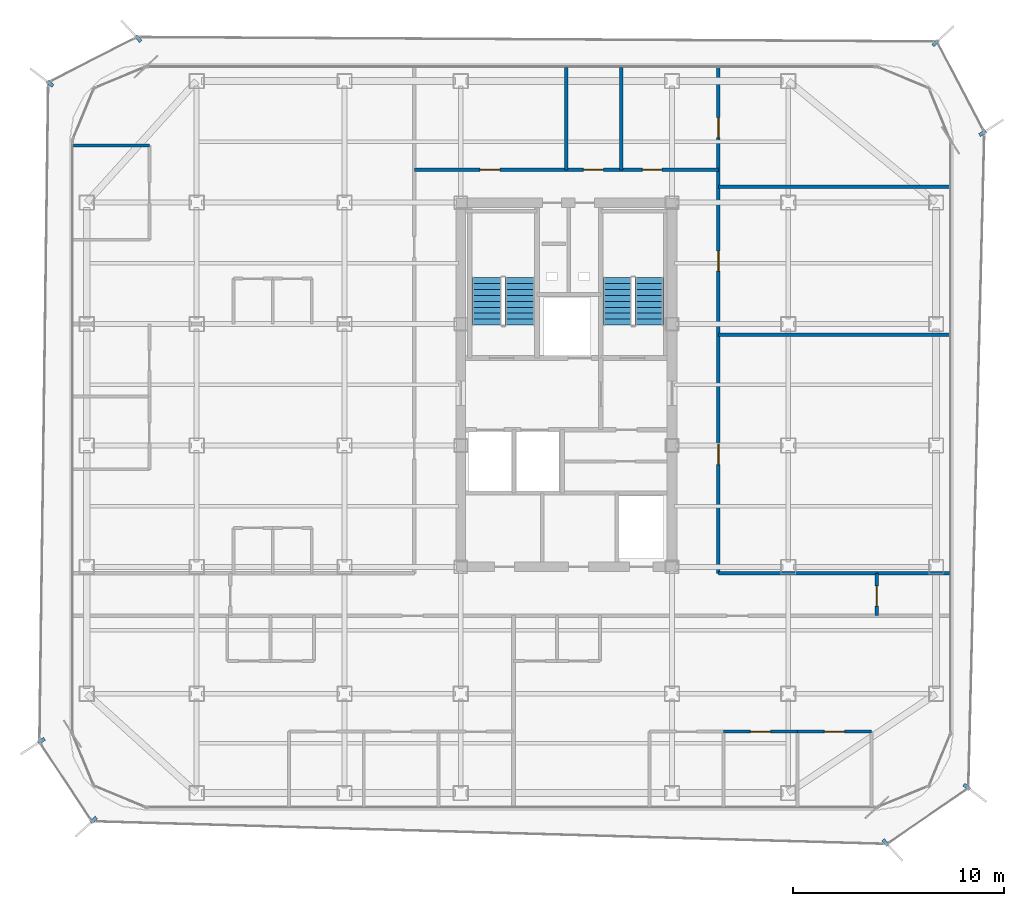
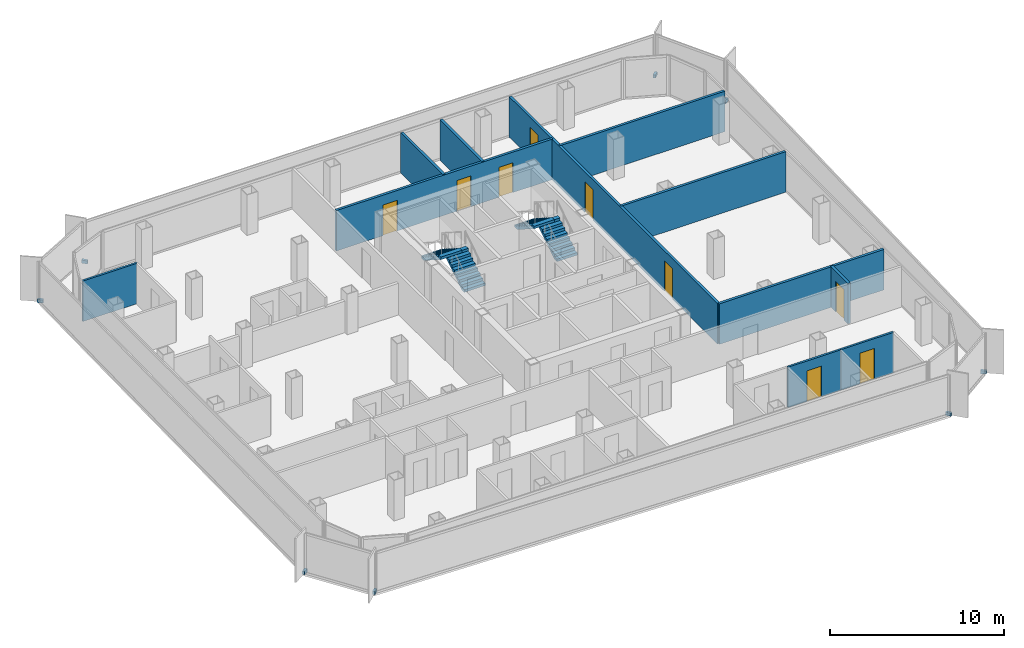
# One storey, part 12 of 15: 12 walls, 9 doors, 8 discrete accessories, 4 stair flights, 9 openings, 2 elements without a shape of their own.
"""IFC4 building model written with IfcOpenShell, lengths in metres."""

from ifc_helpers import new_model, si_unit, direction, frame, frame_2d, origin, origin_2d, place, context, subcontext, project, spatial, polyline, rectangle, outline, extrude, source, transform, mapped, material, layer, layer_set, type_object, element, fill, aggregate, save


model = new_model("IFC4")

# Units and contexts
model_context = context("Model", 3, precision=1e-05, world=origin(), true_north=direction((0.0, 1.0)))
body_context = subcontext(model_context, "Body", "Model", "MODEL_VIEW")
ifc_project = project(units=[si_unit("LENGTHUNIT", "METRE"), si_unit("AREAUNIT", "SQUARE_METRE"), si_unit("VOLUMEUNIT", "CUBIC_METRE"), si_unit("PLANEANGLEUNIT", "RADIAN"), si_unit("MASSUNIT", "GRAM", prefix="KILO")], contexts=[model_context])

# Site, building, storey
site_placement = place(None, origin())
site = spatial("IfcSite", under=ifc_project, at=site_placement, CompositionType="ELEMENT")
building_placement = place(site_placement, origin())
building = spatial("IfcBuilding", under=site, at=building_placement, Name="Kolveth Station Tower", CompositionType="ELEMENT")
storey_placement = place(building_placement, frame((0.0, 0.0, 184.89990234375)))
storey = spatial("IfcBuildingStorey", under=building, at=storey_placement, Name="L52", CompositionType="ELEMENT", Elevation=184.89990234375)

# Wall, opening, door
ifc_material_1 = material(Name="Moisture-resistant gypsum partition")
ifc_layer_1 = layer(ifc_material_1, 0.135009765625)
ifc_layer_set_1 = layer_set([ifc_layer_1], Name="Moisture-resistant gypsum partition")
wall_type_1 = type_object("IfcWallType", Name="Wall_IW-135", PredefinedType="PARTITIONING", material=ifc_layer_set_1)
wall_1_placement = place(storey_placement, frame((30.944091796875, 3.7099609375, 0.0), z_axis=(0.0, 0.0, 1.0), x_axis=(1.0, 0.0, 0.0)))
wall_1 = element("IfcWall", 1, at=wall_1_placement, inside=storey, type_object=wall_type_1, Name="L52 Partition Wall WL-L52-A2-BDH2", PredefinedType="PARTITIONING", context=body_context, shape_type="SweptSolid", body=[
    extrude(rectangle(XDim=3.5029296875, YDim=0.135009765625, at=frame_2d((1.75146484375, 0.0))), origin(), (0.0, 0.0, 1.0), 2.840087890625),
])
opening_1_placement = place(wall_1_placement, frame((1.27099609375, 0.0, 0.0)))
opening_1 = element("IfcOpeningElement", 2, at=opening_1_placement, cuts=wall_1, Name="Opening ID1", PredefinedType="OPENING", context=body_context, shape_type="SweptSolid", body=[
    extrude(rectangle(XDim=0.949951171875, YDim=2.14990234375, at=frame_2d((0.47509765625, 1.074951171875))), frame((0.0, 0.077392578125, 0.0), z_axis=(0.0, -1.0, 0.0), x_axis=(1.0, 0.0, 0.0)), (0.0, 0.0, 1.0), 0.155029296875),
])
ifc_material_2 = material(Name="Acoustic hardwood leaf and aluminium frame", Category="wood")
door_type_1 = type_object("IfcDoorType", Name="Door_ID1", OperationType="NOTDEFINED", PredefinedType="DOOR", material=ifc_material_2)
door_1_placement = place(opening_1_placement, frame((0.949951171875, 0.0, 0.0), z_axis=(0.0, 0.0, 1.0), x_axis=(-1.0, 0.0, 0.0)))
door_1 = element("IfcDoor", 3, at=door_1_placement, inside=storey, type_object=door_type_1, Name="Penthouse Flat L52-A2 Bedroom 2 Door", OperationType="SINGLE_SWING_LEFT", OverallHeight=2.14990234375, OverallWidth=0.949951171875, PredefinedType="DOOR", context=body_context, shape_type="SweptSolid", body=[
    extrude(rectangle(XDim=0.949951171875, YDim=2.14990234375, at=frame_2d((0.47509765625, 1.074951171875))), frame((0.0, 0.02490234375, 0.0), z_axis=(0.0, -1.0, 0.0), x_axis=(1.0, 0.0, 0.0)), (0.0, 0.0, 1.0), 0.050048828125),
])
fill(opening_1, door_1)

wall_2_placement = place(storey_placement, frame((34.447021484375, 3.7099609375, 0.0), z_axis=(0.0, 0.0, 1.0), x_axis=(1.0, 0.0, 0.0)))
wall_2 = element("IfcWall", 4, at=wall_2_placement, inside=storey, type_object=wall_type_1, Name="L52 Partition Wall WL-L52-A2-BDH3", PredefinedType="PARTITIONING", context=body_context, shape_type="SweptSolid", body=[
    extrude(rectangle(XDim=3.5029296875, YDim=0.135009765625, at=frame_2d((1.75146484375, 0.0))), origin(), (0.0, 0.0, 1.0), 2.840087890625),
])
opening_2_placement = place(wall_2_placement, frame((1.27099609375, 0.0, 0.0)))
opening_2 = element("IfcOpeningElement", 5, at=opening_2_placement, cuts=wall_2, Name="Opening ID1", PredefinedType="OPENING", context=body_context, shape_type="SweptSolid", body=[
    extrude(rectangle(XDim=0.949951171875, YDim=2.14990234375, at=frame_2d((0.47509765625, 1.074951171875))), frame((0.0, 0.077392578125, 0.0), z_axis=(0.0, -1.0, 0.0), x_axis=(1.0, 0.0, 0.0)), (0.0, 0.0, 1.0), 0.155029296875),
])
door_2_placement = place(opening_2_placement, frame((0.949951171875, 0.0, 0.0), z_axis=(0.0, 0.0, 1.0), x_axis=(-1.0, 0.0, 0.0)))
door_2 = element("IfcDoor", 6, at=door_2_placement, inside=storey, type_object=door_type_1, Name="Penthouse Flat L52-A2 Bedroom 3 Door", OperationType="SINGLE_SWING_RIGHT", OverallHeight=2.14990234375, OverallWidth=0.949951171875, PredefinedType="DOOR", context=body_context, shape_type="SweptSolid", body=[
    extrude(rectangle(XDim=0.949951171875, YDim=2.14990234375, at=frame_2d((0.47509765625, 1.074951171875))), frame((0.0, 0.02490234375, 0.0), z_axis=(0.0, -1.0, 0.0), x_axis=(1.0, 0.0, 0.0)), (0.0, 0.0, 1.0), 0.050048828125),
])
fill(opening_2, door_2)

# Walls
wall_3_placement = place(storey_placement, frame((0.159912109375, 31.449951171875, 0.0), z_axis=(0.0, 0.0, 1.0), x_axis=(1.0, 0.0, 0.0)))
element("IfcWall", 7, at=wall_3_placement, inside=storey, type_object=wall_type_1, Name="L52 Partition Wall WL-L52-W2-BDHE", PredefinedType="PARTITIONING", context=body_context, shape_type="SweptSolid", body=[
    extrude(rectangle(XDim=3.60009765625, YDim=0.135009765625, at=frame_2d((1.800048828125, 0.0))), origin(), (0.0, 0.0, 1.0), 2.840087890625),
])
ifc_material_3 = material(Name="Acoustic double-stud gypsum partition")
ifc_layer_2 = layer(ifc_material_3, 0.1650390625)
ifc_layer_set_2 = layer_set([ifc_layer_2], Name="Acoustic double-stud gypsum partition")
wall_type_2 = type_object("IfcWallType", Name="Wall_IW-165", PredefinedType="PARTITIONING", material=ifc_layer_set_2)
wall_4_placement = place(storey_placement, frame((30.699951171875, 11.199951171875, 0.0), z_axis=(0.0, 0.0, 1.0), x_axis=(1.0, 0.0, 0.0)))
element("IfcWall", 8, at=wall_4_placement, inside=storey, type_object=wall_type_2, Name="L52 Partition Wall WL-L52-RSET", PredefinedType="PARTITIONING", context=body_context, shape_type="SweptSolid", body=[
    extrude(rectangle(XDim=7.5, YDim=0.1650390625, at=frame_2d((3.75, 0.0))), origin(), (0.0, 0.0, 1.0), 2.840087890625),
])

# Wall, opening, door
wall_5_placement = place(storey_placement, frame((38.199951171875, 9.199951171875, 0.0), z_axis=(0.0, 0.0, 1.0), x_axis=(0.0, 1.0, 0.0)))
wall_5 = element("IfcWall", 9, at=wall_5_placement, inside=storey, type_object=wall_type_2, Name="L52 Partition Wall WL-L52-RSEE", PredefinedType="PARTITIONING", context=body_context, shape_type="SweptSolid", body=[
    extrude(rectangle(XDim=2.0, YDim=0.1650390625, at=frame_2d((1.0, 0.0))), origin(), (0.0, 0.0, 1.0), 2.840087890625),
])
opening_3_placement = place(wall_5_placement, frame((0.449951171875, 0.0, 0.0)))
opening_3 = element("IfcOpeningElement", 10, at=opening_3_placement, cuts=wall_5, Name="Opening ID1", PredefinedType="OPENING", context=body_context, shape_type="SweptSolid", body=[
    extrude(rectangle(XDim=0.949951171875, YDim=2.14990234375, at=frame_2d((0.47509765625, 1.074951171875))), frame((0.0, 0.092529296875, 0.0), z_axis=(0.0, -1.0, 0.0), x_axis=(1.0, 0.0, 0.0)), (0.0, 0.0, 1.0), 0.18505859375),
])
door_3_placement = place(opening_3_placement, origin())
door_3 = element("IfcDoor", 11, at=door_3_placement, inside=storey, type_object=door_type_1, Name="L52 Hobby Study Door", OperationType="SINGLE_SWING_LEFT", OverallHeight=2.14990234375, OverallWidth=0.949951171875, PredefinedType="DOOR", context=body_context, shape_type="SweptSolid", body=[
    extrude(rectangle(XDim=0.949951171875, YDim=2.14990234375, at=frame_2d((0.47509765625, 1.074951171875))), frame((0.0, 0.02490234375, 0.0), z_axis=(0.0, -1.0, 0.0), x_axis=(1.0, 0.0, 0.0)), (0.0, 0.0, 1.0), 0.050048828125),
])
fill(opening_3, door_3)

# Wall, openings, doors
wall_6_placement = place(storey_placement, frame((16.300048828125, 30.300048828125, 0.0), z_axis=(0.0, 0.0, 1.0), x_axis=(1.0, 0.0, 0.0)))
wall_6 = element("IfcWall", 12, at=wall_6_placement, inside=storey, type_object=wall_type_2, Name="L52 Partition Wall WL-L52-RN", PredefinedType="PARTITIONING", context=body_context, shape_type="SweptSolid", body=[
    extrude(rectangle(XDim=14.39990234375, YDim=0.1650390625, at=frame_2d((7.199951171875, 0.0))), origin(), (0.0, 0.0, 1.0), 2.840087890625),
])
opening_4_placement = place(wall_6_placement, frame((3.10009765625, 0.0, 0.0)))
opening_4 = element("IfcOpeningElement", 13, at=opening_4_placement, cuts=wall_6, Name="Opening ID1", PredefinedType="OPENING", context=body_context, shape_type="SweptSolid", body=[
    extrude(rectangle(XDim=0.949951171875, YDim=2.14990234375, at=frame_2d((0.47509765625, 1.074951171875))), frame((0.0, 0.092529296875, 0.0), z_axis=(0.0, -1.0, 0.0), x_axis=(1.0, 0.0, 0.0)), (0.0, 0.0, 1.0), 0.18505859375),
])
opening_5_placement = place(wall_6_placement, frame((8.0, 0.0, 0.0)))
opening_5 = element("IfcOpeningElement", 14, at=opening_5_placement, cuts=wall_6, Name="Opening ID1", PredefinedType="OPENING", context=body_context, shape_type="SweptSolid", body=[
    extrude(rectangle(XDim=0.949951171875, YDim=2.14990234375, at=frame_2d((0.47509765625, 1.074951171875))), frame((0.0, 0.092529296875, 0.0), z_axis=(0.0, -1.0, 0.0), x_axis=(1.0, 0.0, 0.0)), (0.0, 0.0, 1.0), 0.18505859375),
])
opening_6_placement = place(wall_6_placement, frame((10.800048828125, 0.0, 0.0)))
opening_6 = element("IfcOpeningElement", 15, at=opening_6_placement, cuts=wall_6, Name="Opening ID2", PredefinedType="OPENING", context=body_context, shape_type="SweptSolid", body=[
    extrude(rectangle(XDim=0.919921875, YDim=2.10009765625, at=frame_2d((0.4599609375, 1.050048828125))), frame((0.0, 0.092529296875, 0.0), z_axis=(0.0, -1.0, 0.0), x_axis=(1.0, 0.0, 0.0)), (0.0, 0.0, 1.0), 0.18505859375),
])
door_4_placement = place(opening_4_placement, origin())
door_4 = element("IfcDoor", 16, at=door_4_placement, inside=storey, type_object=door_type_1, Name="L52 Residents' Sky Lounge Door", OperationType="SINGLE_SWING_RIGHT", OverallHeight=2.14990234375, OverallWidth=0.949951171875, PredefinedType="DOOR", context=body_context, shape_type="SweptSolid", body=[
    extrude(rectangle(XDim=0.949951171875, YDim=2.14990234375, at=frame_2d((0.47509765625, 1.074951171875))), frame((0.0, 0.02490234375, 0.0), z_axis=(0.0, -1.0, 0.0), x_axis=(1.0, 0.0, 0.0)), (0.0, 0.0, 1.0), 0.050048828125),
])
fill(opening_4, door_4)
door_5_placement = place(opening_5_placement, origin())
door_5 = element("IfcDoor", 17, at=door_5_placement, inside=storey, type_object=door_type_1, Name="L52 Residents' Committee Room Door", OperationType="SINGLE_SWING_LEFT", OverallHeight=2.14990234375, OverallWidth=0.949951171875, PredefinedType="DOOR", context=body_context, shape_type="SweptSolid", body=[
    extrude(rectangle(XDim=0.949951171875, YDim=2.14990234375, at=frame_2d((0.47509765625, 1.074951171875))), frame((0.0, 0.02490234375, 0.0), z_axis=(0.0, -1.0, 0.0), x_axis=(1.0, 0.0, 0.0)), (0.0, 0.0, 1.0), 0.050048828125),
])
fill(opening_5, door_5)
ifc_material_4 = material(Name="Moisture-resistant hardwood leaf", Category="wood")
door_type_2 = type_object("IfcDoorType", Name="Door_ID2", OperationType="NOTDEFINED", PredefinedType="DOOR", material=ifc_material_4)
door_6_placement = place(opening_6_placement, origin())
door_6 = element("IfcDoor", 18, at=door_6_placement, inside=storey, type_object=door_type_2, Name="L52 Accessible Residents' WC Door", OperationType="SINGLE_SWING_LEFT", OverallHeight=2.10009765625, OverallWidth=0.919921875, PredefinedType="DOOR", context=body_context, shape_type="SweptSolid", body=[
    extrude(rectangle(XDim=0.919921875, YDim=2.10009765625, at=frame_2d((0.4599609375, 1.050048828125))), frame((0.0, 0.02490234375, 0.0), z_axis=(0.0, -1.0, 0.0), x_axis=(1.0, 0.0, 0.0)), (0.0, 0.0, 1.0), 0.050048828125),
])
fill(opening_6, door_6)

wall_7_placement = place(storey_placement, frame((30.699951171875, 11.199951171875, 0.0), z_axis=(0.0, 0.0, 1.0), x_axis=(0.0, 1.0, 0.0)))
wall_7 = element("IfcWall", 19, at=wall_7_placement, inside=storey, type_object=wall_type_2, Name="L52 Partition Wall WL-L52-RE", PredefinedType="PARTITIONING", context=body_context, shape_type="SweptSolid", body=[
    extrude(rectangle(XDim=23.93994140625, YDim=0.1650390625, at=frame_2d((11.969970703125, 0.0))), origin(), (0.0, 0.0, 1.0), 2.840087890625),
])
opening_7_placement = place(wall_7_placement, frame((5.14990234375, 0.0, 0.0)))
opening_7 = element("IfcOpeningElement", 20, at=opening_7_placement, cuts=wall_7, Name="Opening ID1", PredefinedType="OPENING", context=body_context, shape_type="SweptSolid", body=[
    extrude(rectangle(XDim=0.949951171875, YDim=2.14990234375, at=frame_2d((0.47509765625, 1.074951171875))), frame((0.0, 0.092529296875, 0.0), z_axis=(0.0, -1.0, 0.0), x_axis=(1.0, 0.0, 0.0)), (0.0, 0.0, 1.0), 0.18505859375),
])
opening_8_placement = place(wall_7_placement, frame((14.300048828125, 0.0, 0.0)))
opening_8 = element("IfcOpeningElement", 21, at=opening_8_placement, cuts=wall_7, Name="Opening ID1", PredefinedType="OPENING", context=body_context, shape_type="SweptSolid", body=[
    extrude(rectangle(XDim=0.949951171875, YDim=2.14990234375, at=frame_2d((0.47509765625, 1.074951171875))), frame((0.0, 0.092529296875, 0.0), z_axis=(0.0, -1.0, 0.0), x_axis=(1.0, 0.0, 0.0)), (0.0, 0.0, 1.0), 0.18505859375),
])
opening_9_placement = place(wall_7_placement, frame((20.6201171875, 0.0, 0.0)))
opening_9 = element("IfcOpeningElement", 22, at=opening_9_placement, cuts=wall_7, Name="Opening ID1", PredefinedType="OPENING", context=body_context, shape_type="SweptSolid", body=[
    extrude(rectangle(XDim=0.949951171875, YDim=2.14990234375, at=frame_2d((0.47509765625, 1.074951171875))), frame((0.0, 0.092529296875, 0.0), z_axis=(0.0, -1.0, 0.0), x_axis=(1.0, 0.0, 0.0)), (0.0, 0.0, 1.0), 0.18505859375),
])
door_7_placement = place(opening_7_placement, origin())
door_7 = element("IfcDoor", 23, at=door_7_placement, inside=storey, type_object=door_type_1, Name="L52 Sky Dining Salon East Door", OperationType="SINGLE_SWING_LEFT", OverallHeight=2.14990234375, OverallWidth=0.949951171875, PredefinedType="DOOR", context=body_context, shape_type="SweptSolid", body=[
    extrude(rectangle(XDim=0.949951171875, YDim=2.14990234375, at=frame_2d((0.47509765625, 1.074951171875))), frame((0.0, 0.02490234375, 0.0), z_axis=(0.0, -1.0, 0.0), x_axis=(1.0, 0.0, 0.0)), (0.0, 0.0, 1.0), 0.050048828125),
])
fill(opening_7, door_7)
door_8_placement = place(opening_8_placement, origin())
door_8 = element("IfcDoor", 24, at=door_8_placement, inside=storey, type_object=door_type_1, Name="L52 Private Music Room Door", OperationType="SINGLE_SWING_RIGHT", OverallHeight=2.14990234375, OverallWidth=0.949951171875, PredefinedType="DOOR", context=body_context, shape_type="SweptSolid", body=[
    extrude(rectangle(XDim=0.949951171875, YDim=2.14990234375, at=frame_2d((0.47509765625, 1.074951171875))), frame((0.0, 0.02490234375, 0.0), z_axis=(0.0, -1.0, 0.0), x_axis=(1.0, 0.0, 0.0)), (0.0, 0.0, 1.0), 0.050048828125),
])
fill(opening_8, door_8)
door_9_placement = place(opening_9_placement, origin())
door_9 = element("IfcDoor", 25, at=door_9_placement, inside=storey, type_object=door_type_1, Name="L52 Catering Pantry Door", OperationType="SINGLE_SWING_LEFT", OverallHeight=2.14990234375, OverallWidth=0.949951171875, PredefinedType="DOOR", context=body_context, shape_type="SweptSolid", body=[
    extrude(rectangle(XDim=0.949951171875, YDim=2.14990234375, at=frame_2d((0.47509765625, 1.074951171875))), frame((0.0, 0.02490234375, 0.0), z_axis=(0.0, -1.0, 0.0), x_axis=(1.0, 0.0, 0.0)), (0.0, 0.0, 1.0), 0.050048828125),
])
fill(opening_9, door_9)

# Walls
wall_8_placement = place(storey_placement, frame((38.199951171875, 11.199951171875, 0.0), z_axis=(0.0, 0.0, 1.0), x_axis=(1.0, 0.0, 0.0)))
element("IfcWall", 26, at=wall_8_placement, inside=storey, type_object=wall_type_2, Name="L52 Partition Wall WL-L52-ESTN", PredefinedType="PARTITIONING", context=body_context, shape_type="SweptSolid", body=[
    extrude(rectangle(XDim=3.43994140625, YDim=0.1650390625, at=frame_2d((1.719970703125, 0.0))), origin(), (0.0, 0.0, 1.0), 2.840087890625),
])
for number, where, z_axis, x_axis, name in (
    (27, (30.699951171875, 22.5, 0.0), (0.0, 0.0, 1.0), (1.0, 0.0, 0.0), "L52 Partition Wall WL-L52-REA-P1"),
    (28, (30.699951171875, 29.5, 0.0), (0.0, 0.0, 1.0), (1.0, 0.0, 0.0), "L52 Partition Wall WL-L52-REA-P2"),
):
    element("IfcWall", number, at=place(storey_placement, frame(where, z_axis=z_axis, x_axis=x_axis)), inside=storey, type_object=wall_type_2, Name=name, PredefinedType="PARTITIONING", context=body_context, shape_type="SweptSolid", body=[
        extrude(rectangle(XDim=10.93994140625, YDim=0.1650390625, at=frame_2d((5.469970703125, 0.0))), origin(), (0.0, 0.0, 1.0), 2.840087890625),
    ])
for number, where, z_axis, x_axis, name in (
    (29, (23.5, 30.300048828125, 0.0), (0.0, 0.0, 1.0), (0.0, 1.0, 0.0), "L52 Partition Wall WL-L52-RN-P1"),
    (30, (26.10009765625, 30.300048828125, 0.0), (0.0, 0.0, 1.0), (0.0, 1.0, 0.0), "L52 Partition Wall WL-L52-RN-P2"),
):
    element("IfcWall", number, at=place(storey_placement, frame(where, z_axis=z_axis, x_axis=x_axis)), inside=storey, type_object=wall_type_2, Name=name, PredefinedType="PARTITIONING", context=body_context, shape_type="SweptSolid", body=[
        extrude(rectangle(XDim=4.83984375, YDim=0.1650390625, at=frame_2d((2.419921875, 0.0))), origin(), (0.0, 0.0, 1.0), 2.840087890625),
    ])

# Stair, stair flights
ifc_material_5 = material(Name="Concrete C40/50", Category="concrete")
stair_type_1 = type_object("IfcStairType", Name="Stair_ST1", PredefinedType="HALF_TURN_STAIR", material=ifc_material_5)
stair_1_placement = place(storey_placement, origin())
stair_1 = element("IfcStair", 31, at=stair_1_placement, inside=storey, type_object=stair_type_1, Name="L52 Tower Exit Stair ST1", PredefinedType="HALF_TURN_STAIR")
ifc_layer_3 = layer(ifc_material_5, 0.179931640625)
ifc_layer_set_3 = layer_set([ifc_layer_3], Name="Concrete C40/50")
stair_flight_type_1 = type_object("IfcStairFlightType", Name="Flight_ST1", PredefinedType="STRAIGHT", material=ifc_layer_set_3)
stair_flight_1_placement = place(storey_placement, frame((21.300048828125, 22.949951171875, 0.0), z_axis=(0.0, 0.0, 1.0), x_axis=(0.0, 1.0, 0.0)))
stair_flight_1 = element("IfcStairFlight", 32, at=stair_flight_1_placement, type_object=stair_flight_type_1, Name="ST1 flight 1", NumberOfRisers=9, NumberOfTreads=8, PredefinedType="STRAIGHT", RiserHeight=0.177777778, TreadLength=0.28, context=body_context, shape_type="SweptSolid", body=[
    extrude(outline(polyline([(0.0, 0.0), (0.0, 0.177734375), (0.280029296875, 0.177734375), (0.280029296875, 0.35546875), (0.56005859375, 0.35546875), (0.56005859375, 0.533447265625), (0.840087890625, 0.533447265625), (0.840087890625, 0.711181640625), (1.1201171875, 0.711181640625), (1.1201171875, 0.888916015625), (1.39990234375, 0.888916015625), (1.39990234375, 1.066650390625), (1.679931640625, 1.066650390625), (1.679931640625, 1.244384765625), (1.9599609375, 1.244384765625), (1.9599609375, 1.422119140625), (2.239990234375, 1.422119140625), (2.239990234375, 1.60009765625), (2.239990234375, 1.24462890625), (0.27978515625, 0.0), (0.0, 0.0)])), frame((0.0, 0.699951171875, 0.0), z_axis=(0.0, -1.0, 0.0), x_axis=(1.0, 0.0, 0.0)), (0.0, 0.0, 1.0), 1.39990234375),
])
stair_flight_2_placement = place(storey_placement, frame((19.739990234375, 25.18994140625, 1.60009765625), z_axis=(0.0, 0.0, 1.0), x_axis=(0.0, -1.0, 0.0)))
stair_flight_2 = element("IfcStairFlight", 33, at=stair_flight_2_placement, type_object=stair_flight_type_1, Name="ST1 flight 2", NumberOfRisers=9, NumberOfTreads=8, PredefinedType="STRAIGHT", RiserHeight=0.177777778, TreadLength=0.28, context=body_context, shape_type="SweptSolid", body=[
    extrude(outline(polyline([(0.0, 0.0), (0.0, 0.177734375), (0.280029296875, 0.177734375), (0.280029296875, 0.35546875), (0.56005859375, 0.35546875), (0.56005859375, 0.533447265625), (0.840087890625, 0.533447265625), (0.840087890625, 0.711181640625), (1.1201171875, 0.711181640625), (1.1201171875, 0.888916015625), (1.39990234375, 0.888916015625), (1.39990234375, 1.066650390625), (1.679931640625, 1.066650390625), (1.679931640625, 1.244384765625), (1.9599609375, 1.244384765625), (1.9599609375, 1.422119140625), (2.239990234375, 1.422119140625), (2.239990234375, 1.60009765625), (2.239990234375, 1.24462890625), (0.27978515625, 0.0), (0.0, 0.0)])), frame((0.0, 0.699951171875, 0.0), z_axis=(0.0, -1.0, 0.0), x_axis=(1.0, 0.0, 0.0)), (0.0, 0.0, 1.0), 1.39990234375),
])
aggregate(stair_1, [stair_flight_1, stair_flight_2])

stair_type_2 = type_object("IfcStairType", Name="Stair_ST2", PredefinedType="HALF_TURN_STAIR", material=ifc_material_5)
stair_2_placement = place(storey_placement, origin())
stair_2 = element("IfcStair", 34, at=stair_2_placement, inside=storey, type_object=stair_type_2, Name="L52 Tower Exit Stair ST2", PredefinedType="HALF_TURN_STAIR")
ifc_layer_4 = layer(ifc_material_5, 0.179931640625)
ifc_layer_set_4 = layer_set([ifc_layer_4], Name="Concrete C40/50")
stair_flight_type_2 = type_object("IfcStairFlightType", Name="Flight_ST2", PredefinedType="STRAIGHT", material=ifc_layer_set_4)
stair_flight_3_placement = place(storey_placement, frame((27.425048828125, 22.949951171875, 0.0), z_axis=(0.0, 0.0, 1.0), x_axis=(0.0, 1.0, 0.0)))
stair_flight_3 = element("IfcStairFlight", 35, at=stair_flight_3_placement, type_object=stair_flight_type_2, Name="ST2 flight 1", NumberOfRisers=9, NumberOfTreads=8, PredefinedType="STRAIGHT", RiserHeight=0.177777778, TreadLength=0.28, context=body_context, shape_type="SweptSolid", body=[
    extrude(outline(polyline([(0.0, 0.0), (0.0, 0.177734375), (0.280029296875, 0.177734375), (0.280029296875, 0.35546875), (0.56005859375, 0.35546875), (0.56005859375, 0.533447265625), (0.840087890625, 0.533447265625), (0.840087890625, 0.711181640625), (1.1201171875, 0.711181640625), (1.1201171875, 0.888916015625), (1.39990234375, 0.888916015625), (1.39990234375, 1.066650390625), (1.679931640625, 1.066650390625), (1.679931640625, 1.244384765625), (1.9599609375, 1.244384765625), (1.9599609375, 1.422119140625), (2.239990234375, 1.422119140625), (2.239990234375, 1.60009765625), (2.239990234375, 1.24462890625), (0.27978515625, 0.0), (0.0, 0.0)])), frame((0.0, 0.675048828125, 0.0), z_axis=(0.0, -1.0, 0.0), x_axis=(1.0, 0.0, 0.0)), (0.0, 0.0, 1.0), 1.35009765625),
])
stair_flight_4_placement = place(storey_placement, frame((25.9150390625, 25.18994140625, 1.60009765625), z_axis=(0.0, 0.0, 1.0), x_axis=(0.0, -1.0, 0.0)))
stair_flight_4 = element("IfcStairFlight", 36, at=stair_flight_4_placement, type_object=stair_flight_type_2, Name="ST2 flight 2", NumberOfRisers=9, NumberOfTreads=8, PredefinedType="STRAIGHT", RiserHeight=0.177777778, TreadLength=0.28, context=body_context, shape_type="SweptSolid", body=[
    extrude(outline(polyline([(0.0, 0.0), (0.0, 0.177734375), (0.280029296875, 0.177734375), (0.280029296875, 0.35546875), (0.56005859375, 0.35546875), (0.56005859375, 0.533447265625), (0.840087890625, 0.533447265625), (0.840087890625, 0.711181640625), (1.1201171875, 0.711181640625), (1.1201171875, 0.888916015625), (1.39990234375, 0.888916015625), (1.39990234375, 1.066650390625), (1.679931640625, 1.066650390625), (1.679931640625, 1.244384765625), (1.9599609375, 1.244384765625), (1.9599609375, 1.422119140625), (2.239990234375, 1.422119140625), (2.239990234375, 1.60009765625), (2.239990234375, 1.24462890625), (0.27978515625, 0.0), (0.0, 0.0)])), frame((0.0, 0.675048828125, 0.0), z_axis=(0.0, -1.0, 0.0), x_axis=(1.0, 0.0, 0.0)), (0.0, 0.0, 1.0), 1.35009765625),
])
aggregate(stair_2, [stair_flight_3, stair_flight_4])

# Discrete accessories
ifc_material_6 = material(Name="Steel S355", Category="steel")
discrete_accessory_type = type_object("IfcDiscreteAccessoryType", Name="Bracket_BK1", PredefinedType="BRACKET", material=ifc_material_6)
shared_shape = source(origin(), body_context, "Body", "SweptSolid", [
    extrude(rectangle(XDim=0.35009765625, YDim=0.159912109375, at=origin_2d()), origin(), (0.0, 0.0, 1.0), 0.219970703125),
])
for number, where, z_axis, x_axis, name in (
    (37, (38.60595703125, -1.541015625, -0.06005859375), (0.0, 0.0, 1.0), (0.678159669868, -0.73491459515, 0.0), "L52 Double-Skin Radial Tie Bracket 1"),
    (38, (42.450927734375, 1.093017578125, -0.06005859375), (0.0, 0.0, 1.0), (0.793034484816, -0.60917674438, 0.0), "L52 Double-Skin Radial Tie Bracket 2"),
    (39, (43.202880859375, 32.035888671875, -0.06005859375), (0.0, 0.0, 1.0), (0.840377460452, 0.54200159037, 0.0), "L52 Double-Skin Radial Tie Bracket 3"),
    (40, (40.972900390625, 36.297119140625, -0.06005859375), (0.0, 0.0, 1.0), (0.732661695834, 0.680593005737, 0.0), "L52 Double-Skin Radial Tie Bracket 4"),
    (41, (3.236083984375, 36.501953125, -0.06005859375), (0.0, 0.0, 1.0), (-0.683783356562, 0.729685083642, 0.0), "L52 Double-Skin Radial Tie Bracket 5"),
    (42, (-0.93994140625, 34.3740234375, -0.06005859375), (0.0, 0.0, 1.0), (-0.793990398648, 0.607930297695, 0.0), "L52 Double-Skin Radial Tie Bracket 6"),
    (43, (-1.35009765625, 3.27099609375, -0.06005859375), (0.0, 0.0, 1.0), (-0.839904154905, -0.542734751581, 0.0), "L52 Double-Skin Radial Tie Bracket 7"),
    (44, (1.1259765625, -0.47509765625, -0.06005859375), (0.0, 0.0, 1.0), (-0.737159412846, -0.675718876495, 0.0), "L52 Double-Skin Radial Tie Bracket 8"),
):
    element("IfcDiscreteAccessory", number, at=place(storey_placement, frame(where, z_axis=z_axis, x_axis=x_axis)), inside=storey, type_object=discrete_accessory_type, Name=name, PredefinedType="BRACKET", context=body_context, shape_type="MappedRepresentation", body=[
        mapped(shared_shape, transform((0.0, 0.0, 0.0), x_axis=(1.0, 0.0, 0.0), y_axis=(0.0, 1.0, 0.0), z_axis=(0.0, 0.0, 1.0), scale=1.0)),
    ])

save(model, "model.ifc")
